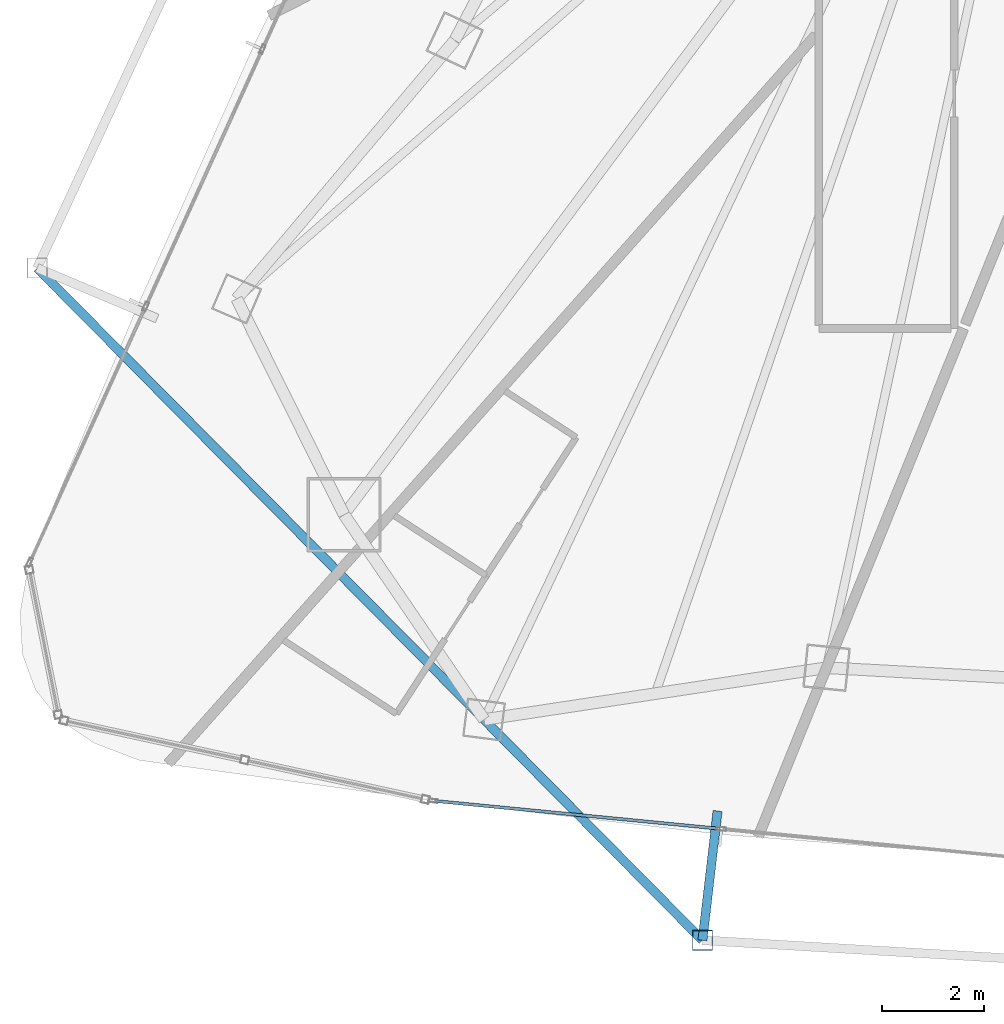
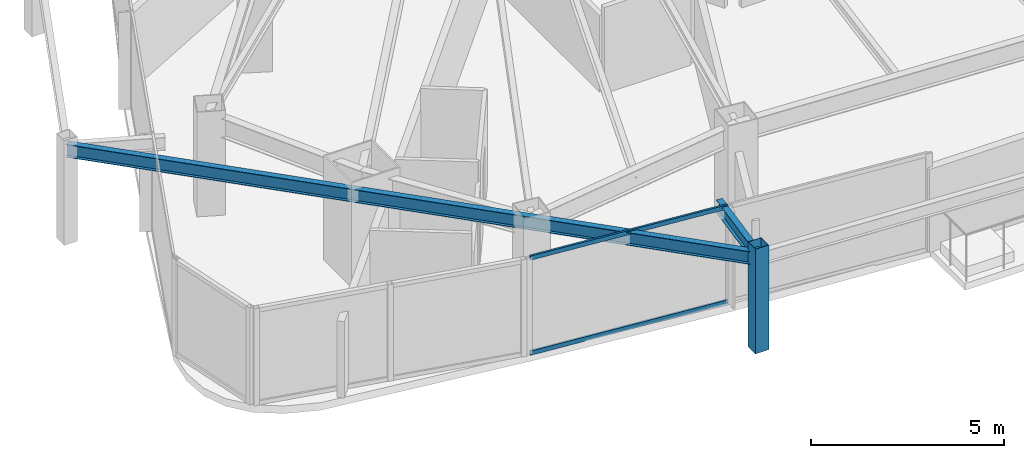
# One storey, part 3 of 31: 3 members, 2 beams, 1 element without a shape of its own.
"""IFC4 building model written with IfcOpenShell, lengths in metres."""

from ifc_helpers import new_model, si_unit, direction, frame, origin, origin_2d, place, context, subcontext, project, spatial, hollow_rectangle, i_section, extrude, material, layer, layer_set, material_profile, profile_set, type_object, element, aggregate, save


model = new_model("IFC4")

# Units and contexts
model_context = context("Model", 3, precision=1e-05, world=origin(), true_north=direction((0.0, 1.0)))
body_context = subcontext(model_context, "Body", "Model", "MODEL_VIEW")
ifc_project = project(units=[si_unit("LENGTHUNIT", "METRE"), si_unit("AREAUNIT", "SQUARE_METRE"), si_unit("VOLUMEUNIT", "CUBIC_METRE"), si_unit("PLANEANGLEUNIT", "RADIAN"), si_unit("MASSUNIT", "GRAM", prefix="KILO")], contexts=[model_context])

# Site, building, storey
site_placement = place(None, origin())
site = spatial("IfcSite", under=ifc_project, at=site_placement, CompositionType="ELEMENT")
building_placement = place(site_placement, origin())
building = spatial("IfcBuilding", under=site, at=building_placement, Name="Orvanel Arch Residences", CompositionType="ELEMENT")
storey_placement = place(building_placement, frame((0.0, 0.0, 153.949951171875)))
storey = spatial("IfcBuildingStorey", under=building, at=storey_placement, Name="L43", CompositionType="ELEMENT", Elevation=153.949951171875)

# Beams
ifc_material_1 = material(Name="Structural steel AS/NZS 3679.1 Grade 300 (300 MPa)", Category="steel")
ifc_material_profile_1 = material_profile(ifc_material_1, i_section(OverallWidth=0.177978515625, OverallDepth=0.406005859375, WebThickness=0.0078125, FlangeThickness=0.0126953125, at=origin_2d()), Name="410UB59.7")
ifc_profile_set_1 = profile_set([ifc_material_profile_1], Name="Structural steel AS/NZS 3679.1 Grade 300 (300 MPa)")
beam_type = type_object("IfcBeamType", Name="OB-410UB-EXT", PredefinedType="SPANDREL", material=ifc_profile_set_1)
beam_1_placement = place(storey_placement, frame((8.18701171875, 15.18505859375, 2.85693359375), z_axis=(0.703400836433, -0.710793404095, 0.0), x_axis=(0.710793404095, 0.703400836433, 0.0)))
element("IfcBeam", 1, at=beam_1_placement, inside=storey, type_object=beam_type, Name="L43 Outer Perimeter Floor Ring Beam 04", PredefinedType="SPANDREL", context=body_context, shape_type="SweptSolid", body=[
    extrude(i_section(OverallWidth=0.177978515625, OverallDepth=0.406005859375, WebThickness=0.0078125, FlangeThickness=0.0126953125, at=origin_2d()), origin(), (0.0, 0.0, 1.0), 18.527099609375),
])
beam_2_placement = place(storey_placement, frame((21.514892578125, 4.549072265625, 2.85693359375), z_axis=(-0.116030242446, -0.993245681006, 0.0), x_axis=(0.993245681006, -0.116030242446, 0.0)))
element("IfcBeam", 2, at=beam_2_placement, inside=storey, type_object=beam_type, Name="L43 Outer Frame Radial Tie Beam 05", PredefinedType="SPANDREL", context=body_context, shape_type="SweptSolid", body=[
    extrude(i_section(OverallWidth=0.177978515625, OverallDepth=0.406005859375, WebThickness=0.0078125, FlangeThickness=0.0126953125, at=origin_2d()), origin(), (0.0, 0.0, 1.0), 2.55029296875),
])

# Member
ifc_material_2 = material(Name="Structural steel AS/NZS 1163 C450L0 (Grade 450)", Category="steel")
ifc_material_profile_2 = material_profile(ifc_material_2, hollow_rectangle(XDim=0.39990234375, YDim=0.39990234375, WallThickness=0.01611328125, at=origin_2d()), Name="SHS400x400x16")
ifc_profile_set_2 = profile_set([ifc_material_profile_2], Name="Structural steel AS/NZS 1163 C450L0 (Grade 450)")
member_type_1 = type_object("IfcMemberType", Name="ST-400SHS-EXT", PredefinedType="STRUT", material=ifc_profile_set_2)
member_1_placement = place(storey_placement, frame((21.218994140625, 2.01611328125, 0.0), z_axis=(0.0, 0.0, 1.0), x_axis=(1.0, 0.0, 0.0)))
element("IfcMember", 3, at=member_1_placement, inside=storey, type_object=member_type_1, Name="L43 Outer Perimeter Frame Post 05", PredefinedType="STRUT", context=body_context, shape_type="SweptSolid", body=[
    extrude(hollow_rectangle(XDim=0.39990234375, YDim=0.39990234375, WallThickness=0.01611328125, at=origin_2d()), origin(), (0.0, 0.0, 1.0), 3.300048828125),
])

# Curtain wall, members
ifc_material_3 = material(Name="Bronze-anodised aluminium AA6063-T6", Category="aluminium")
ifc_layer = layer(ifc_material_3, 0.179931640625)
ifc_layer_set = layer_set([ifc_layer], Name="Bronze-anodised aluminium AA6063-T6")
curtain_wall_type = type_object("IfcCurtainWallType", Name="CW3-MID-SYS", PredefinedType="NOTDEFINED", material=ifc_layer_set)
curtain_wall_placement = place(storey_placement, origin())
curtain_wall = element("IfcCurtainWall", 4, at=curtain_wall_placement, inside=storey, type_object=curtain_wall_type, Name="L43 CW3-MID-SYS Unitised Curtain Wall", PredefinedType="NOTDEFINED")
ifc_material_profile_3 = material_profile(ifc_material_3, hollow_rectangle(XDim=0.06005859375, YDim=0.135009765625, WallThickness=0.00390625, at=origin_2d()), Name="ALU135x60x4")
ifc_profile_set_3 = profile_set([ifc_material_profile_3], Name="Bronze-anodised aluminium AA6063-T6")
member_type_2 = type_object("IfcMemberType", Name="TRN-135x60", PredefinedType="USERDEFINED", material=ifc_profile_set_3)
member_2_placement = place(storey_placement, frame((15.9765625, 4.7451171875, 0.030029296875), z_axis=(0.995278225692, -0.097063141629, 0.0), x_axis=(0.097063141629, 0.995278225692, 0.0)))
member_2 = element("IfcMember", 5, at=member_2_placement, type_object=member_type_2, Name="CW-S3 transom 1.1", ObjectType="TRANSOM", PredefinedType="USERDEFINED", context=body_context, shape_type="SweptSolid", body=[
    extrude(hollow_rectangle(XDim=0.06005859375, YDim=0.135009765625, WallThickness=0.00390625, at=origin_2d()), origin(), (0.0, 0.0, 1.0), 5.6064453125),
])
member_3_placement = place(storey_placement, frame((15.9765625, 4.7451171875, 3.030029296875), z_axis=(0.995278225692, -0.097063141629, 0.0), x_axis=(0.097063141629, 0.995278225692, 0.0)))
member_3 = element("IfcMember", 6, at=member_3_placement, type_object=member_type_2, Name="CW-S3 transom 1.2", ObjectType="TRANSOM", PredefinedType="USERDEFINED", context=body_context, shape_type="SweptSolid", body=[
    extrude(hollow_rectangle(XDim=0.06005859375, YDim=0.135009765625, WallThickness=0.00390625, at=origin_2d()), origin(), (0.0, 0.0, 1.0), 5.6064453125),
])
aggregate(curtain_wall, [member_2, member_3])

save(model, "model.ifc")
